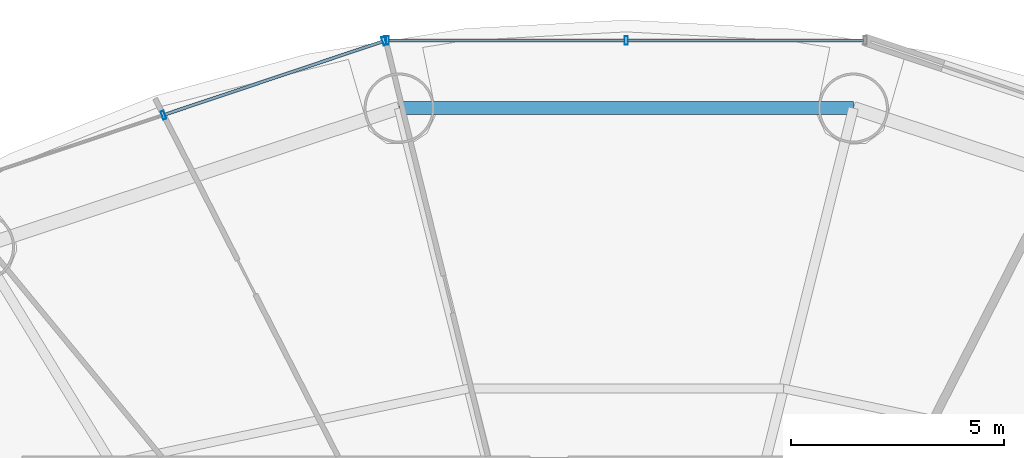
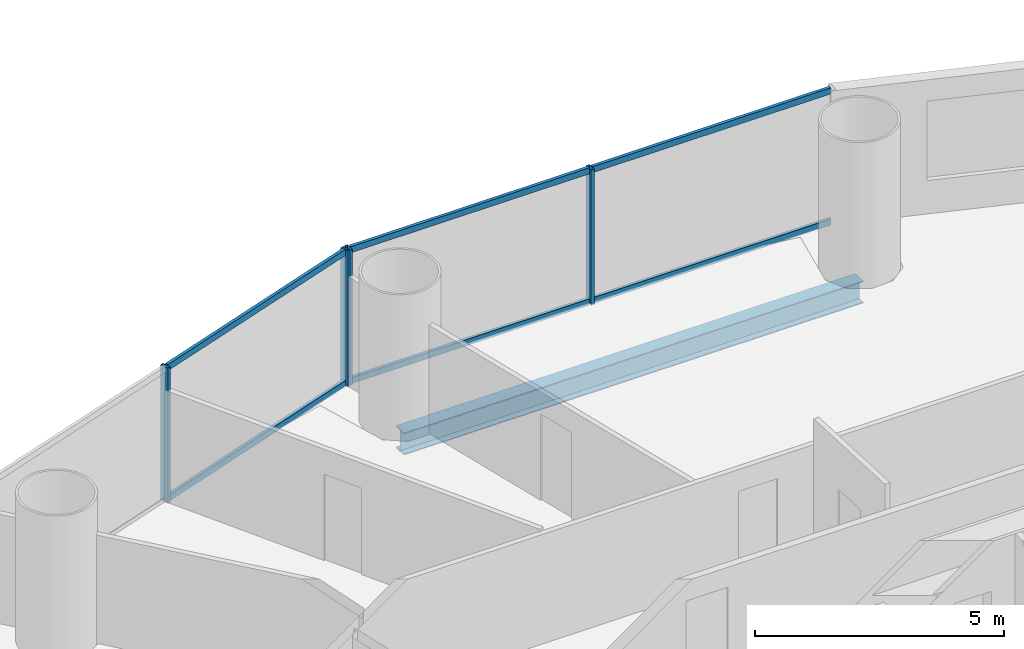
# One storey, part 17 of 29: 10 members, 1 beam, 2 elements without a shape of their own.
"""IFC4 building model written with IfcOpenShell, lengths in metres."""

from ifc_helpers import new_model, si_unit, direction, frame, origin, origin_2d, place, context, subcontext, project, spatial, hollow_rectangle, i_section, extrude, source, transform, mapped, material, material_profile, profile_set, type_object, element, aggregate, save


model = new_model("IFC4")

# Units and contexts
model_context = context("Model", 3, precision=1e-05, world=origin(), true_north=direction((-0.2419218956, 0.970295726276)))
body_context = subcontext(model_context, "Body", "Model", "MODEL_VIEW")
ifc_project = project(units=[si_unit("LENGTHUNIT", "METRE"), si_unit("AREAUNIT", "SQUARE_METRE"), si_unit("VOLUMEUNIT", "CUBIC_METRE"), si_unit("PLANEANGLEUNIT", "RADIAN"), si_unit("MASSUNIT", "GRAM", prefix="KILO")], contexts=[model_context])

# Site, building, storey
site_placement = place(None, origin())
site = spatial("IfcSite", under=ifc_project, at=site_placement, CompositionType="ELEMENT")
building_placement = place(site_placement, origin())
building = spatial("IfcBuilding", under=site, at=building_placement, Name="Cobrevalo Terracotta Tower", CompositionType="ELEMENT")
storey_placement = place(building_placement, frame((0.0, 0.0, 49.199951171875)))
storey = spatial("IfcBuildingStorey", under=building, at=storey_placement, Name="L12", CompositionType="ELEMENT", Elevation=49.199951171875)

# Beam
ifc_material_1 = material(Name="Steel S355", Category="steel")
ifc_material_profile_1 = material_profile(ifc_material_1, i_section(OverallWidth=0.31201171875, OverallDepth=0.54296875, WebThickness=0.0126953125, FlangeThickness=0.020263671875, at=origin_2d()), Name="W 530x150")
ifc_profile_set_1 = profile_set([ifc_material_profile_1], Name="Steel S355")
beam_type = type_object("IfcBeamType", Name="Structural Spandrel W 530x150 (Steel S355)", PredefinedType="SPANDREL", material=ifc_profile_set_1)
beam_placement = place(storey_placement, frame((43.335693359375, 48.230224609375, -0.551513671875), z_axis=(-1.0, 0.0, 0.0), x_axis=(0.0, -1.0, 0.0)))
element("IfcBeam", 1, at=beam_placement, inside=storey, type_object=beam_type, Name="L12 perimeter ring spandrel 04", PredefinedType="SPANDREL", context=body_context, shape_type="SweptSolid", body=[
    extrude(i_section(OverallWidth=0.31201171875, OverallDepth=0.54296875, WebThickness=0.0126953125, FlangeThickness=0.020263671875, at=origin_2d()), origin(), (0.0, 0.0, 1.0), 10.67138671875),
])

# Curtain wall, members
ifc_material_2 = material(Name="Anodized aluminium", Category="aluminium")
curtain_wall_type = type_object("IfcCurtainWallType", Name="Lower-tower unitised acoustic low-E curtain wall CW-U1", PredefinedType="NOTDEFINED", material=ifc_material_2)
curtain_wall_1_placement = place(storey_placement, origin())
curtain_wall_1 = element("IfcCurtainWall", 2, at=curtain_wall_1_placement, inside=storey, type_object=curtain_wall_type, Name="L12 curtain wall CW-L12-S04", PredefinedType="NOTDEFINED")
ifc_material_profile_2 = material_profile(ifc_material_2, hollow_rectangle(XDim=0.074951171875, YDim=0.199951171875, WallThickness=0.0048828125, at=origin_2d()), Name="CWM 75x200")
ifc_profile_set_2 = profile_set([ifc_material_profile_2], Name="Anodized aluminium")
member_type_1 = type_object("IfcMemberType", Name="Lower/mid tower unitised mullion 75x200", PredefinedType="MULLION", material=ifc_profile_set_2)
shared_shape_1 = source(origin(), body_context, "Body", "SweptSolid", [
    extrude(hollow_rectangle(XDim=0.074951171875, YDim=0.199951171875, WallThickness=0.0048828125, at=origin_2d()), origin(), (0.0, 0.0, 1.0), 3.320068359375),
])
member_1_placement = place(storey_placement, frame((38.0, 49.819091796875, 0.0), z_axis=(0.0, 0.0, 1.0), x_axis=(-1.0, 0.0, 0.0)))
member_1 = element("IfcMember", 3, at=member_1_placement, type_object=member_type_1, Name="CW-L12-S04 vertical mullion 02", PredefinedType="MULLION", context=body_context, shape_type="MappedRepresentation", body=[
    mapped(shared_shape_1, transform((0.0, 0.0, 0.0), scale=1.0)),
])
member_2_placement = place(storey_placement, frame((32.38818359375, 49.819091796875, 0.0), z_axis=(0.0, 0.0, 1.0), x_axis=(-1.0, 0.0, 0.0)))
member_2 = element("IfcMember", 4, at=member_2_placement, type_object=member_type_1, Name="CW-L12-S04 vertical mullion 03", PredefinedType="MULLION", context=body_context, shape_type="MappedRepresentation", body=[
    mapped(shared_shape_1, transform((0.0, 0.0, 0.0), scale=1.0)),
])

curtain_wall_2_placement = place(storey_placement, origin())
curtain_wall_2 = element("IfcCurtainWall", 5, at=curtain_wall_2_placement, inside=storey, type_object=curtain_wall_type, Name="L12 curtain wall CW-L12-S05", PredefinedType="NOTDEFINED")
member_3_placement = place(storey_placement, frame((32.310302734375, 49.806396484375, 0.0), z_axis=(0.0, 0.0, 1.0), x_axis=(-0.948046393597, -0.318132103987, 0.0)))
member_3 = element("IfcMember", 6, at=member_3_placement, type_object=member_type_1, Name="CW-L12-S05 vertical mullion 01", PredefinedType="MULLION", context=body_context, shape_type="MappedRepresentation", body=[
    mapped(shared_shape_1, transform((0.0, 0.0, 0.0), scale=1.0)),
])
member_4_placement = place(storey_placement, frame((27.126708984375, 48.06689453125, 0.0), z_axis=(0.0, 0.0, 1.0), x_axis=(-0.948046393597, -0.318132103987, 0.0)))
member_4 = element("IfcMember", 7, at=member_4_placement, type_object=member_type_1, Name="CW-L12-S05 vertical mullion 02", PredefinedType="MULLION", context=body_context, shape_type="MappedRepresentation", body=[
    mapped(shared_shape_1, transform((0.0, 0.0, 0.0), scale=1.0)),
])
ifc_material_profile_3 = material_profile(ifc_material_2, hollow_rectangle(XDim=0.074951171875, YDim=0.14990234375, WallThickness=0.00439453125, at=origin_2d()), Name="CWT 75x150")
ifc_profile_set_3 = profile_set([ifc_material_profile_3], Name="Anodized aluminium")
member_type_2 = type_object("IfcMemberType", Name="Tower unitised aluminium transom 75x150", PredefinedType="USERDEFINED", material=ifc_profile_set_3)
shared_shape_2 = source(origin(), body_context, "Body", "SweptSolid", [
    extrude(hollow_rectangle(XDim=0.074951171875, YDim=0.14990234375, WallThickness=0.00439453125, at=origin_2d()), origin(), (0.0, 0.0, 1.0), 5.387939453125),
])
member_5_placement = place(storey_placement, frame((32.2724609375, 49.793701171875, 0.050048828125), z_axis=(-0.94804244582, -0.318143868278, 0.0), x_axis=(0.318143868278, -0.94804244582, 0.0)))
member_5 = element("IfcMember", 8, at=member_5_placement, type_object=member_type_2, Name="CW-L12-S05 transom B01-T1", ObjectType="TRANSOM", PredefinedType="USERDEFINED", context=body_context, shape_type="MappedRepresentation", body=[
    mapped(shared_shape_2, transform((0.0, 0.0, 0.0), scale=1.0)),
])
member_6_placement = place(storey_placement, frame((32.2724609375, 49.793701171875, 3.27001953125), z_axis=(-0.94804244582, -0.318143868278, 0.0), x_axis=(0.318143868278, -0.94804244582, 0.0)))
member_6 = element("IfcMember", 9, at=member_6_placement, type_object=member_type_2, Name="CW-L12-S05 transom B01-T2", ObjectType="TRANSOM", PredefinedType="USERDEFINED", context=body_context, shape_type="MappedRepresentation", body=[
    mapped(shared_shape_2, transform((0.0, 0.0, 0.0), scale=1.0)),
])
aggregate(curtain_wall_2, [member_3, member_4, member_5, member_6])

# Member
shared_shape_3 = source(origin(), body_context, "Body", "SweptSolid", [
    extrude(hollow_rectangle(XDim=0.074951171875, YDim=0.14990234375, WallThickness=0.00439453125, at=origin_2d()), origin(), (0.0, 0.0, 1.0), 5.53173828125),
])
member_7_placement = place(storey_placement, frame((43.57177734375, 49.819091796875, 0.050048828125), z_axis=(-1.0, 0.0, 0.0), x_axis=(0.0, -1.0, 0.0)))
member_7 = element("IfcMember", 10, at=member_7_placement, type_object=member_type_2, Name="CW-L12-S04 transom B01-T1", ObjectType="TRANSOM", PredefinedType="USERDEFINED", context=body_context, shape_type="MappedRepresentation", body=[
    mapped(shared_shape_3, transform((0.0, 0.0, 0.0), scale=1.0)),
])

member_8_placement = place(storey_placement, frame((43.57177734375, 49.819091796875, 3.27001953125), z_axis=(-1.0, 0.0, 0.0), x_axis=(0.0, -1.0, 0.0)))
member_8 = element("IfcMember", 11, at=member_8_placement, type_object=member_type_2, Name="CW-L12-S04 transom B01-T2", ObjectType="TRANSOM", PredefinedType="USERDEFINED", context=body_context, shape_type="MappedRepresentation", body=[
    mapped(shared_shape_3, transform((0.0, 0.0, 0.0), scale=1.0)),
])

member_9_placement = place(storey_placement, frame((37.9599609375, 49.819091796875, 0.050048828125), z_axis=(-1.0, 0.0, 0.0), x_axis=(0.0, -1.0, 0.0)))
member_9 = element("IfcMember", 12, at=member_9_placement, type_object=member_type_2, Name="CW-L12-S04 transom B02-T1", ObjectType="TRANSOM", PredefinedType="USERDEFINED", context=body_context, shape_type="MappedRepresentation", body=[
    mapped(shared_shape_3, transform((0.0, 0.0, 0.0), scale=1.0)),
])

member_10_placement = place(storey_placement, frame((37.9599609375, 49.819091796875, 3.27001953125), z_axis=(-1.0, 0.0, 0.0), x_axis=(0.0, -1.0, 0.0)))
member_10 = element("IfcMember", 13, at=member_10_placement, type_object=member_type_2, Name="CW-L12-S04 transom B02-T2", ObjectType="TRANSOM", PredefinedType="USERDEFINED", context=body_context, shape_type="MappedRepresentation", body=[
    mapped(shared_shape_3, transform((0.0, 0.0, 0.0), scale=1.0)),
])

aggregate(curtain_wall_1, [member_1, member_2, member_7, member_8, member_9, member_10])

save(model, "model.ifc")
